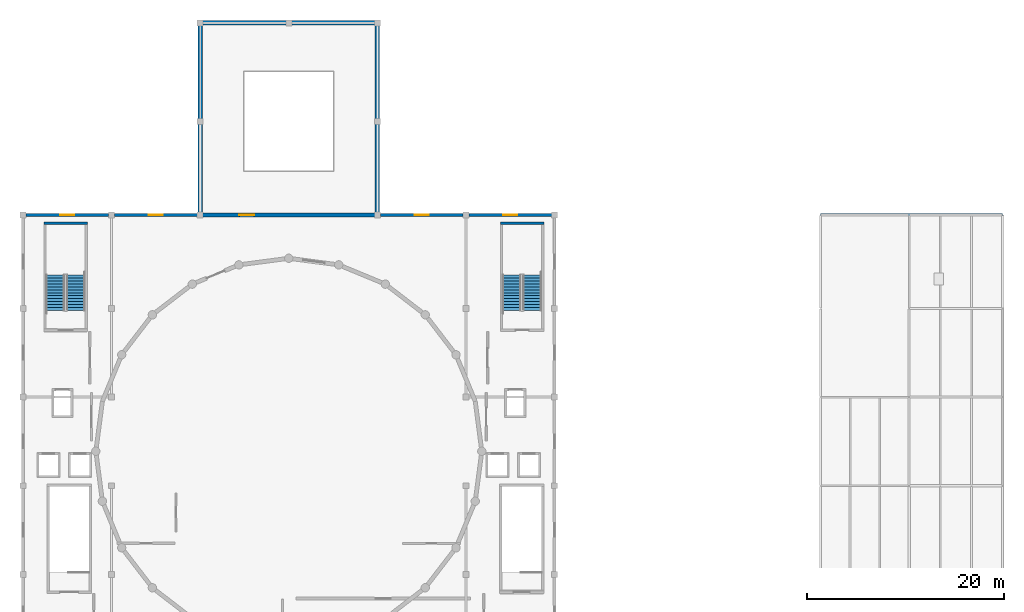
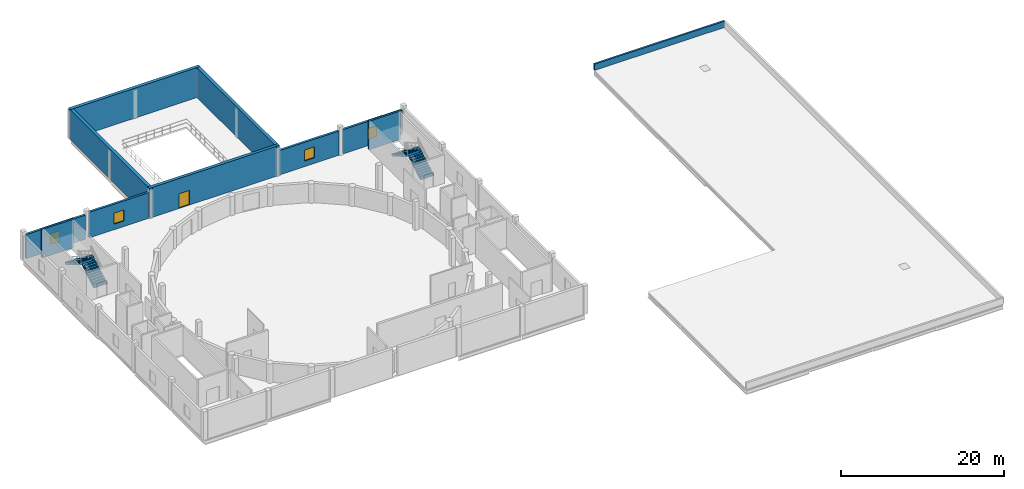
# One storey, part 7 of 10: 11 walls, 4 stair flights, 4 windows, 1 door, 5 openings, 2 elements without a shape of their own.
"""IFC4 building model written with IfcOpenShell, lengths in metres."""

from ifc_helpers import new_model, si_unit, direction, frame, frame_2d, origin, place, context, subcontext, project, spatial, polyline, rectangle, outline, extrude, material, layer, layer_set, type_object, element, fill, aggregate, save


model = new_model("IFC4")

# Units and contexts
model_context = context("Model", 3, precision=1e-05, world=origin(), true_north=direction((0.0, 1.0)))
body_context = subcontext(model_context, "Body", "Model", "MODEL_VIEW")
ifc_project = project(units=[si_unit("LENGTHUNIT", "METRE"), si_unit("AREAUNIT", "SQUARE_METRE"), si_unit("VOLUMEUNIT", "CUBIC_METRE"), si_unit("PLANEANGLEUNIT", "RADIAN"), si_unit("MASSUNIT", "GRAM", prefix="KILO")], contexts=[model_context])

# Site, building, storey
site_placement = place(None, origin())
site = spatial("IfcSite", under=ifc_project, at=site_placement, CompositionType="ELEMENT")
building_placement = place(site_placement, origin())
building = spatial("IfcBuilding", under=site, at=building_placement, Name="Marnock Terrace Opera House", CompositionType="ELEMENT")
storey_placement = place(building_placement, frame((0.0, 0.0, 23.699951171875)))
storey = spatial("IfcBuildingStorey", under=building, at=storey_placement, Name="L05", CompositionType="ELEMENT", Elevation=23.699951171875)

# Wall, opening, window
ifc_material_1 = material(Name="Basket Range sandstone ashlar masonry", Category="masonry")
ifc_layer_1 = layer(ifc_material_1, 0.31005859375)
ifc_layer_set_1 = layer_set([ifc_layer_1], Name="Basket Range sandstone ashlar masonry")
wall_type_1 = type_object("IfcWallType", Name="EW-ATTIC-310", PredefinedType="SOLIDWALL", material=ifc_layer_set_1)
wall_1_placement = place(storey_placement, frame((55.2958984375, 84.5, 0.0), z_axis=(0.0, 0.0, 1.0), x_axis=(1.0, 0.0, 0.0)))
wall_1 = element("IfcWall", 1, at=wall_1_placement, inside=storey, type_object=wall_type_1, Name="L05 Drum block north wall", PredefinedType="SOLIDWALL", context=body_context, shape_type="SweptSolid", body=[
    extrude(rectangle(XDim=8.408203125, YDim=0.31005859375, at=frame_2d((4.2041015625, 0.0))), origin(), (0.0, 0.0, 1.0), 3.638427734375),
])
opening_1_placement = place(wall_1_placement, frame((3.50390625, 0.0, 0.85009765625)))
opening_1 = element("IfcOpeningElement", 2, at=opening_1_placement, cuts=wall_1, Name="Opening WT-138", PredefinedType="OPENING", context=body_context, shape_type="SweptSolid", body=[
    extrude(rectangle(XDim=1.39990234375, YDim=1.64990234375, at=frame_2d((0.699951171875, 0.824951171875))), frame((0.0, 0.1650390625, 0.0), z_axis=(0.0, -1.0, 0.0), x_axis=(1.0, 0.0, 0.0)), (0.0, 0.0, 1.0), 0.330078125),
])
ifc_material_2 = material(Name="Double-glazed acoustic low-E laminated glass", Category="glass")
window_type = type_object("IfcWindowType", Name="WT-ATTIC-1400", PartitioningType="SINGLE_PANEL", PredefinedType="WINDOW", material=ifc_material_2)
window_1_placement = place(opening_1_placement, origin())
window_1 = element("IfcWindow", 3, at=window_1_placement, inside=storey, type_object=window_type, Name="L05 facade window EW-V1-Y84-L05-55.1", OverallHeight=1.64990234375, OverallWidth=1.39990234375, PartitioningType="SINGLE_PANEL", PredefinedType="WINDOW", context=body_context, shape_type="SweptSolid", body=[
    extrude(rectangle(XDim=1.39990234375, YDim=1.64990234375, at=frame_2d((0.699951171875, 0.824951171875))), frame((0.0, 0.030029296875, 0.0), z_axis=(0.0, -1.0, 0.0), x_axis=(1.0, 0.0, 0.0)), (0.0, 0.0, 1.0), 0.06005859375),
])
fill(opening_1, window_1)

wall_2_placement = place(storey_placement, frame((64.2958984375, 84.5, 0.0), z_axis=(0.0, 0.0, 1.0), x_axis=(1.0, 0.0, 0.0)))
wall_2 = element("IfcWall", 4, at=wall_2_placement, inside=storey, type_object=wall_type_1, Name="L05 Drum block north wall", PredefinedType="SOLIDWALL", context=body_context, shape_type="SweptSolid", body=[
    extrude(rectangle(XDim=8.408203125, YDim=0.31005859375, at=frame_2d((4.2041015625, 0.0))), origin(), (0.0, 0.0, 1.0), 3.847412109375),
])
opening_2_placement = place(wall_2_placement, frame((3.50390625, 0.0, 0.85009765625)))
opening_2 = element("IfcOpeningElement", 5, at=opening_2_placement, cuts=wall_2, Name="Opening WT-138", PredefinedType="OPENING", context=body_context, shape_type="SweptSolid", body=[
    extrude(rectangle(XDim=1.39990234375, YDim=1.64990234375, at=frame_2d((0.699951171875, 0.824951171875))), frame((0.0, 0.1650390625, 0.0), z_axis=(0.0, -1.0, 0.0), x_axis=(1.0, 0.0, 0.0)), (0.0, 0.0, 1.0), 0.330078125),
])
window_2_placement = place(opening_2_placement, origin())
window_2 = element("IfcWindow", 6, at=window_2_placement, inside=storey, type_object=window_type, Name="L05 facade window EW-V1-Y84-L05-64.1", OverallHeight=1.64990234375, OverallWidth=1.39990234375, PartitioningType="SINGLE_PANEL", PredefinedType="WINDOW", context=body_context, shape_type="SweptSolid", body=[
    extrude(rectangle(XDim=1.39990234375, YDim=1.64990234375, at=frame_2d((0.699951171875, 0.824951171875))), frame((0.0, 0.030029296875, 0.0), z_axis=(0.0, -1.0, 0.0), x_axis=(1.0, 0.0, 0.0)), (0.0, 0.0, 1.0), 0.06005859375),
])
fill(opening_2, window_2)

wall_3_placement = place(storey_placement, frame((91.2958984375, 84.5, 0.0), z_axis=(0.0, 0.0, 1.0), x_axis=(1.0, 0.0, 0.0)))
wall_3 = element("IfcWall", 7, at=wall_3_placement, inside=storey, type_object=wall_type_1, Name="L05 Drum block north wall", PredefinedType="SOLIDWALL", context=body_context, shape_type="SweptSolid", body=[
    extrude(rectangle(XDim=8.408203125, YDim=0.31005859375, at=frame_2d((4.2041015625, 0.0))), origin(), (0.0, 0.0, 1.0), 3.64306640625),
])
opening_3_placement = place(wall_3_placement, frame((3.50390625, 0.0, 0.85009765625)))
opening_3 = element("IfcOpeningElement", 8, at=opening_3_placement, cuts=wall_3, Name="Opening WT-138", PredefinedType="OPENING", context=body_context, shape_type="SweptSolid", body=[
    extrude(rectangle(XDim=1.39990234375, YDim=1.64990234375, at=frame_2d((0.699951171875, 0.824951171875))), frame((0.0, 0.1650390625, 0.0), z_axis=(0.0, -1.0, 0.0), x_axis=(1.0, 0.0, 0.0)), (0.0, 0.0, 1.0), 0.330078125),
])
window_3_placement = place(opening_3_placement, origin())
window_3 = element("IfcWindow", 9, at=window_3_placement, inside=storey, type_object=window_type, Name="L05 facade window EW-V1-Y84-L05-91.1", OverallHeight=1.64990234375, OverallWidth=1.39990234375, PartitioningType="SINGLE_PANEL", PredefinedType="WINDOW", context=body_context, shape_type="SweptSolid", body=[
    extrude(rectangle(XDim=1.39990234375, YDim=1.64990234375, at=frame_2d((0.699951171875, 0.824951171875))), frame((0.0, 0.030029296875, 0.0), z_axis=(0.0, -1.0, 0.0), x_axis=(1.0, 0.0, 0.0)), (0.0, 0.0, 1.0), 0.06005859375),
])
fill(opening_3, window_3)

wall_4_placement = place(storey_placement, frame((100.2958984375, 84.5, 0.0), z_axis=(0.0, 0.0, 1.0), x_axis=(1.0, 0.0, 0.0)))
wall_4 = element("IfcWall", 10, at=wall_4_placement, inside=storey, type_object=wall_type_1, Name="L05 Drum block north wall", PredefinedType="SOLIDWALL", context=body_context, shape_type="SweptSolid", body=[
    extrude(rectangle(XDim=8.408203125, YDim=0.31005859375, at=frame_2d((4.2041015625, 0.0))), origin(), (0.0, 0.0, 1.0), 3.638427734375),
])
opening_4_placement = place(wall_4_placement, frame((3.50390625, 0.0, 0.85009765625)))
opening_4 = element("IfcOpeningElement", 11, at=opening_4_placement, cuts=wall_4, Name="Opening WT-138", PredefinedType="OPENING", context=body_context, shape_type="SweptSolid", body=[
    extrude(rectangle(XDim=1.39990234375, YDim=1.64990234375, at=frame_2d((0.699951171875, 0.824951171875))), frame((0.0, 0.1650390625, 0.0), z_axis=(0.0, -1.0, 0.0), x_axis=(1.0, 0.0, 0.0)), (0.0, 0.0, 1.0), 0.330078125),
])
window_4_placement = place(opening_4_placement, origin())
window_4 = element("IfcWindow", 12, at=window_4_placement, inside=storey, type_object=window_type, Name="L05 facade window EW-V1-Y84-L05-100.1", OverallHeight=1.64990234375, OverallWidth=1.39990234375, PartitioningType="SINGLE_PANEL", PredefinedType="WINDOW", context=body_context, shape_type="SweptSolid", body=[
    extrude(rectangle(XDim=1.39990234375, YDim=1.64990234375, at=frame_2d((0.699951171875, 0.824951171875))), frame((0.0, 0.030029296875, 0.0), z_axis=(0.0, -1.0, 0.0), x_axis=(1.0, 0.0, 0.0)), (0.0, 0.0, 1.0), 0.06005859375),
])
fill(opening_4, window_4)

# Walls
ifc_layer_2 = layer(ifc_material_1, 0.260009765625)
ifc_layer_set_2 = layer_set([ifc_layer_2], Name="Basket Range sandstone ashlar masonry")
wall_type_2 = type_object("IfcWallType", Name="EW-PARA-260", PredefinedType="PARAPET", material=ifc_layer_set_2)
wall_5_placement = place(storey_placement, frame((136.0, 84.5, 0.0), z_axis=(0.0, 0.0, 1.0), x_axis=(1.0, 0.0, 0.0)))
element("IfcWall", 13, at=wall_5_placement, inside=storey, type_object=wall_type_2, Name="Stone parapet PARA-V5-N", PredefinedType="PARAPET", context=body_context, shape_type="SweptSolid", body=[
    extrude(rectangle(XDim=18.5, YDim=0.260009765625, at=frame_2d((9.25, 0.0))), origin(), (0.0, 0.0, 1.0), 0.949951171875),
])
ifc_material_3 = material(Name="Concrete N40 (f'c = 40 MPa)", Category="concrete")
ifc_layer_3 = layer(ifc_material_3, 0.25)
ifc_layer_set_3 = layer_set([ifc_layer_3], Name="Concrete N40 (f'c = 40 MPa)")
wall_type_3 = type_object("IfcWallType", Name="SW-CORE-250", PredefinedType="SHEAR", material=ifc_layer_set_3)
for number, where, z_axis, x_axis, name in (
    (14, (57.114990234375, 83.639892578125, 0.0), (0.0, 0.0, 1.0), (1.0, 0.0, 0.0), "L05 Core C3 FRL 120/120/120 shear wall N"),
    (15, (103.47509765625, 83.639892578125, 0.0), (0.0, 0.0, 1.0), (1.0, 0.0, 0.0), "L05 Core C4 FRL 120/120/120 shear wall N"),
):
    element("IfcWall", number, at=place(storey_placement, frame(where, z_axis=z_axis, x_axis=x_axis)), inside=storey, type_object=wall_type_3, Name=name, PredefinedType="SHEAR", context=body_context, shape_type="SweptSolid", body=[
        extrude(rectangle(XDim=4.449951171875, YDim=0.25, at=frame_2d((2.22509765625, 0.0))), origin(), (0.0, 0.0, 1.0), 4.280029296875),
    ])
ifc_material_4 = material(Name="Concrete N50 (f'c = 50 MPa)", Category="concrete")
ifc_layer_4 = layer(ifc_material_4, 0.449951171875)
ifc_layer_set_4 = layer_set([ifc_layer_4], Name="Concrete N50 (f'c = 50 MPa)")
wall_type_4 = type_object("IfcWallType", Name="SW-FLY-450", PredefinedType="SHEAR", material=ifc_layer_set_4)
wall_6_placement = place(storey_placement, frame((72.77490234375, 104.0, 0.0), z_axis=(0.0, 0.0, 1.0), x_axis=(1.0, 0.0, 0.0)))
element("IfcWall", 16, at=wall_6_placement, inside=storey, type_object=wall_type_4, Name="L05 Fly Tower north shear wall", PredefinedType="SHEAR", context=body_context, shape_type="SweptSolid", body=[
    extrude(rectangle(XDim=18.4501953125, YDim=0.449951171875, at=frame_2d((9.22509765625, 0.0))), origin(), (0.0, 0.0, 1.0), 4.5),
])
for number, where, z_axis, x_axis, name in (
    (17, (73.0, 84.27490234375, 0.0), (0.0, 0.0, 1.0), (0.0, 1.0, 0.0), "L05 Fly Tower west shear wall"),
    (18, (91.0, 84.27490234375, 0.0), (0.0, 0.0, 1.0), (0.0, 1.0, 0.0), "L05 Fly Tower east shear wall"),
):
    element("IfcWall", number, at=place(storey_placement, frame(where, z_axis=z_axis, x_axis=x_axis)), inside=storey, type_object=wall_type_4, Name=name, PredefinedType="SHEAR", context=body_context, shape_type="SweptSolid", body=[
        extrude(rectangle(XDim=19.9501953125, YDim=0.449951171875, at=frame_2d((9.97509765625, 0.0))), origin(), (0.0, 0.0, 1.0), 4.5),
    ])

# Wall, opening, door
ifc_layer_5 = layer(ifc_material_4, 0.419921875)
ifc_layer_set_5 = layer_set([ifc_layer_5], Name="Concrete N50 (f'c = 50 MPa)")
wall_type_5 = type_object("IfcWallType", Name="SW-PROSC-420", PredefinedType="SHEAR", material=ifc_layer_set_5)
wall_7_placement = place(storey_placement, frame((72.77490234375, 84.5, 0.0), z_axis=(0.0, 0.0, 1.0), x_axis=(1.0, 0.0, 0.0)))
wall_7 = element("IfcWall", 19, at=wall_7_placement, inside=storey, type_object=wall_type_5, Name="L05 Fly Tower proscenium fire shear wall", PredefinedType="SHEAR", context=body_context, shape_type="SweptSolid", body=[
    extrude(rectangle(XDim=18.4501953125, YDim=0.419921875, at=frame_2d((9.22509765625, 0.0))), origin(), (0.0, 0.0, 1.0), 4.5),
])
opening_5_placement = place(wall_7_placement, frame((4.199951171875, 0.0, 0.0)))
opening_5 = element("IfcOpeningElement", 20, at=opening_5_placement, cuts=wall_7, Name="Opening FD-FLY-L05", PredefinedType="OPENING", context=body_context, shape_type="SweptSolid", body=[
    extrude(rectangle(XDim=1.5, YDim=2.199951171875, at=frame_2d((0.75, 1.10009765625))), frame((0.0, 0.219970703125, 0.0), z_axis=(0.0, -1.0, 0.0), x_axis=(1.0, 0.0, 0.0)), (0.0, 0.0, 1.0), 0.43994140625),
])
ifc_material_5 = material(Name="Fire-rated acoustic timber-core door assembly", Category="wood")
door_type = type_object("IfcDoorType", Name="DT-PLANT-1500", OperationType="NOTDEFINED", PredefinedType="DOOR", material=ifc_material_5)
door_placement = place(opening_5_placement, origin())
door = element("IfcDoor", 21, at=door_placement, inside=storey, type_object=door_type, Name="L05 Fly Tower fire-isolated egress door FD-FLY-L05", OperationType="SINGLE_SWING_LEFT", OverallHeight=2.199951171875, OverallWidth=1.5, PredefinedType="DOOR", context=body_context, shape_type="SweptSolid", body=[
    extrude(rectangle(XDim=1.5, YDim=2.199951171875, at=frame_2d((0.75, 1.10009765625))), frame((0.0, 0.02490234375, 0.0), z_axis=(0.0, -1.0, 0.0), x_axis=(1.0, 0.0, 0.0)), (0.0, 0.0, 1.0), 0.050048828125),
])
fill(opening_5, door)

# Stair, stair flights
stair_type = type_object("IfcStairType", Name="ST-TYPE-2400", PredefinedType="HALF_TURN_STAIR", material=ifc_material_3)
stair_1_placement = place(storey_placement, origin())
stair_1 = element("IfcStair", 22, at=stair_1_placement, inside=storey, type_object=stair_type, Name="L05 ST-03", PredefinedType="HALF_TURN_STAIR")
stair_flight_type = type_object("IfcStairFlightType", Name="FLT-TYPE-2400", PredefinedType="STRAIGHT", material=ifc_material_3)
stair_flight_1_placement = place(storey_placement, frame((60.3798828125, 74.800048828125, 0.0), z_axis=(0.0, 0.0, 1.0), x_axis=(0.0, 1.0, 0.0)))
stair_flight_1 = element("IfcStairFlight", 23, at=stair_flight_1_placement, type_object=stair_flight_type, Name="ST-03 flight 1", NumberOfRisers=13, NumberOfTreads=12, PredefinedType="STRAIGHT", RiserHeight=0.173076923, TreadLength=0.3, context=body_context, shape_type="SweptSolid", body=[
    extrude(outline(polyline([(-0.00048828125, -0.06005859375), (-0.00048828125, 0.0), (0.0, 0.0), (0.0, 0.173095703125), (0.300048828125, 0.173095703125), (0.300048828125, 0.34619140625), (0.60009765625, 0.34619140625), (0.60009765625, 0.519287109375), (0.89990234375, 0.519287109375), (0.89990234375, 0.6923828125), (1.199951171875, 0.6923828125), (1.199951171875, 0.865478515625), (1.5, 0.865478515625), (1.5, 1.03857421875), (1.800048828125, 1.03857421875), (1.800048828125, 1.21142578125), (2.10009765625, 1.21142578125), (2.10009765625, 1.384521484375), (2.39990234375, 1.384521484375), (2.39990234375, 1.5576171875), (2.699951171875, 1.5576171875), (2.699951171875, 1.730712890625), (3.0, 1.730712890625), (3.0, 1.90380859375), (3.300048828125, 1.90380859375), (3.300048828125, 2.076904296875), (3.60009765625, 2.076904296875), (3.60009765625, 2.25), (3.6005859375, 2.25), (3.6005859375, 1.90380859375), (3.60009765625, 1.90380859375), (0.300048828125, -0.06005859375), (-0.00048828125, -0.06005859375)])), frame((0.0, 0.93994140625, 0.0), z_axis=(0.0, -1.0, 0.0), x_axis=(1.0, 0.0, 0.0)), (0.0, 0.0, 1.0), 1.8798828125),
])
stair_flight_2_placement = place(storey_placement, frame((58.300048828125, 78.39990234375, 2.25), z_axis=(0.0, 0.0, 1.0), x_axis=(0.0, -1.0, 0.0)))
stair_flight_2 = element("IfcStairFlight", 24, at=stair_flight_2_placement, type_object=stair_flight_type, Name="ST-03 flight 2", NumberOfRisers=13, NumberOfTreads=12, PredefinedType="STRAIGHT", RiserHeight=0.173076923, TreadLength=0.3, context=body_context, shape_type="SweptSolid", body=[
    extrude(outline(polyline([(-0.00048828125, -0.06005859375), (-0.00048828125, 0.0), (0.0, 0.0), (0.0, 0.173095703125), (0.300048828125, 0.173095703125), (0.300048828125, 0.34619140625), (0.60009765625, 0.34619140625), (0.60009765625, 0.519287109375), (0.89990234375, 0.519287109375), (0.89990234375, 0.6923828125), (1.199951171875, 0.6923828125), (1.199951171875, 0.865478515625), (1.5, 0.865478515625), (1.5, 1.03857421875), (1.800048828125, 1.03857421875), (1.800048828125, 1.21142578125), (2.10009765625, 1.21142578125), (2.10009765625, 1.384521484375), (2.39990234375, 1.384521484375), (2.39990234375, 1.5576171875), (2.699951171875, 1.5576171875), (2.699951171875, 1.730712890625), (3.0, 1.730712890625), (3.0, 1.90380859375), (3.300048828125, 1.90380859375), (3.300048828125, 2.076904296875), (3.60009765625, 2.076904296875), (3.60009765625, 2.25), (3.6005859375, 2.25), (3.6005859375, 1.90380859375), (3.60009765625, 1.90380859375), (0.300048828125, -0.06005859375), (-0.00048828125, -0.06005859375)])), frame((0.0, 0.93994140625, 0.0), z_axis=(0.0, -1.0, 0.0), x_axis=(1.0, 0.0, 0.0)), (0.0, 0.0, 1.0), 1.8798828125),
])
aggregate(stair_1, [stair_flight_1, stair_flight_2])

stair_2_placement = place(storey_placement, origin())
stair_2 = element("IfcStair", 25, at=stair_2_placement, inside=storey, type_object=stair_type, Name="L05 ST-04", PredefinedType="HALF_TURN_STAIR")
stair_flight_3_placement = place(storey_placement, frame((106.739990234375, 74.800048828125, 0.0), z_axis=(0.0, 0.0, 1.0), x_axis=(0.0, 1.0, 0.0)))
stair_flight_3 = element("IfcStairFlight", 26, at=stair_flight_3_placement, type_object=stair_flight_type, Name="ST-04 flight 1", NumberOfRisers=13, NumberOfTreads=12, PredefinedType="STRAIGHT", RiserHeight=0.173076923, TreadLength=0.3, context=body_context, shape_type="SweptSolid", body=[
    extrude(outline(polyline([(-0.00048828125, -0.06005859375), (-0.00048828125, 0.0), (0.0, 0.0), (0.0, 0.173095703125), (0.300048828125, 0.173095703125), (0.300048828125, 0.34619140625), (0.60009765625, 0.34619140625), (0.60009765625, 0.519287109375), (0.89990234375, 0.519287109375), (0.89990234375, 0.6923828125), (1.199951171875, 0.6923828125), (1.199951171875, 0.865478515625), (1.5, 0.865478515625), (1.5, 1.03857421875), (1.800048828125, 1.03857421875), (1.800048828125, 1.21142578125), (2.10009765625, 1.21142578125), (2.10009765625, 1.384521484375), (2.39990234375, 1.384521484375), (2.39990234375, 1.5576171875), (2.699951171875, 1.5576171875), (2.699951171875, 1.730712890625), (3.0, 1.730712890625), (3.0, 1.90380859375), (3.300048828125, 1.90380859375), (3.300048828125, 2.076904296875), (3.60009765625, 2.076904296875), (3.60009765625, 2.25), (3.6005859375, 2.25), (3.6005859375, 1.90380859375), (3.60009765625, 1.90380859375), (0.300048828125, -0.06005859375), (-0.00048828125, -0.06005859375)])), frame((0.0, 0.93994140625, 0.0), z_axis=(0.0, -1.0, 0.0), x_axis=(1.0, 0.0, 0.0)), (0.0, 0.0, 1.0), 1.8798828125),
])
stair_flight_4_placement = place(storey_placement, frame((104.659912109375, 78.39990234375, 2.25), z_axis=(0.0, 0.0, 1.0), x_axis=(0.0, -1.0, 0.0)))
stair_flight_4 = element("IfcStairFlight", 27, at=stair_flight_4_placement, type_object=stair_flight_type, Name="ST-04 flight 2", NumberOfRisers=13, NumberOfTreads=12, PredefinedType="STRAIGHT", RiserHeight=0.173076923, TreadLength=0.3, context=body_context, shape_type="SweptSolid", body=[
    extrude(outline(polyline([(-0.00048828125, -0.06005859375), (-0.00048828125, 0.0), (0.0, 0.0), (0.0, 0.173095703125), (0.300048828125, 0.173095703125), (0.300048828125, 0.34619140625), (0.60009765625, 0.34619140625), (0.60009765625, 0.519287109375), (0.89990234375, 0.519287109375), (0.89990234375, 0.6923828125), (1.199951171875, 0.6923828125), (1.199951171875, 0.865478515625), (1.5, 0.865478515625), (1.5, 1.03857421875), (1.800048828125, 1.03857421875), (1.800048828125, 1.21142578125), (2.10009765625, 1.21142578125), (2.10009765625, 1.384521484375), (2.39990234375, 1.384521484375), (2.39990234375, 1.5576171875), (2.699951171875, 1.5576171875), (2.699951171875, 1.730712890625), (3.0, 1.730712890625), (3.0, 1.90380859375), (3.300048828125, 1.90380859375), (3.300048828125, 2.076904296875), (3.60009765625, 2.076904296875), (3.60009765625, 2.25), (3.6005859375, 2.25), (3.6005859375, 1.90380859375), (3.60009765625, 1.90380859375), (0.300048828125, -0.06005859375), (-0.00048828125, -0.06005859375)])), frame((0.0, 0.93994140625, 0.0), z_axis=(0.0, -1.0, 0.0), x_axis=(1.0, 0.0, 0.0)), (0.0, 0.0, 1.0), 1.8798828125),
])
aggregate(stair_2, [stair_flight_3, stair_flight_4])

save(model, "model.ifc")
